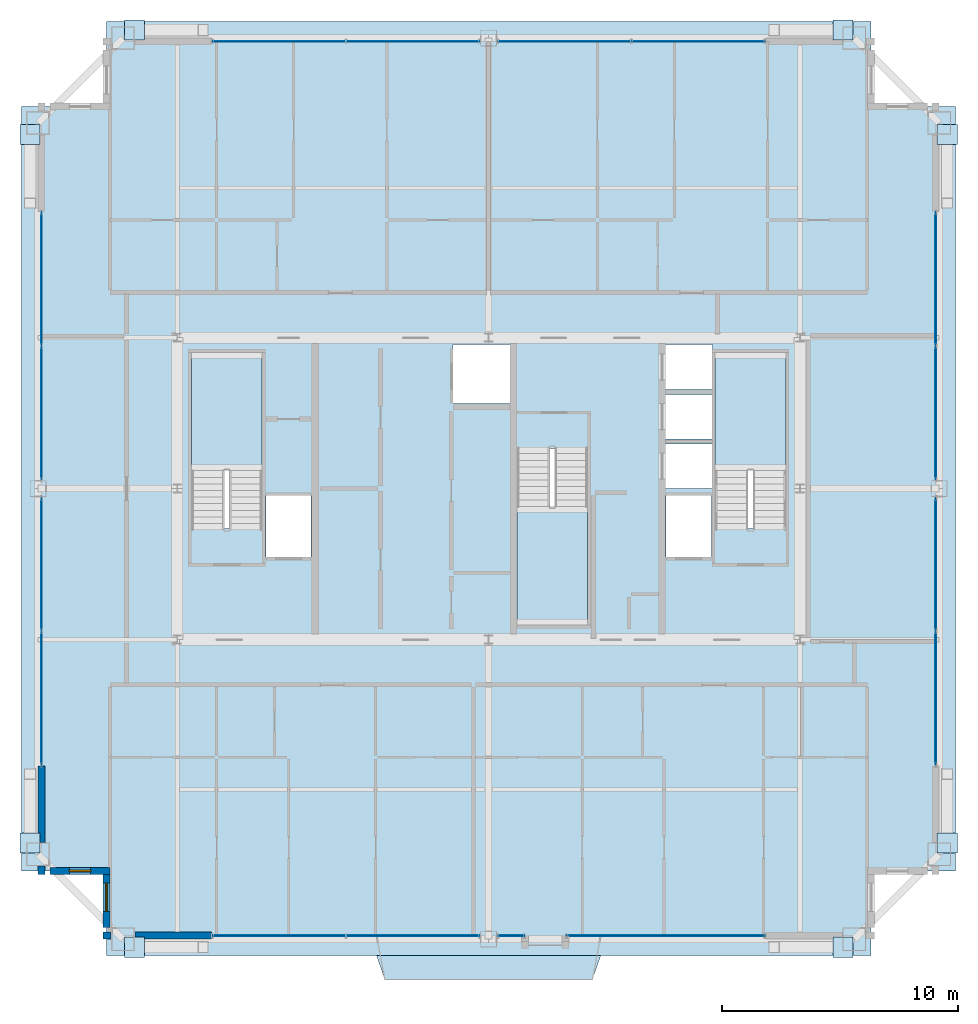
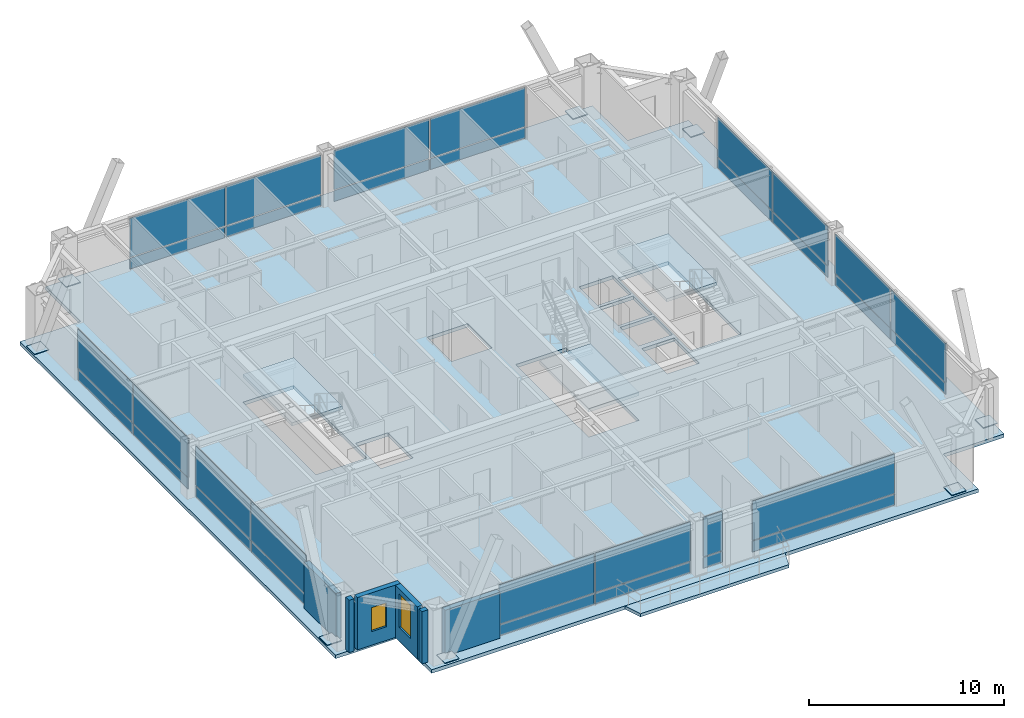
# One storey, part 29 of 35: 40 plates, 6 walls, 5 slabs, 2 windows, 2 openings, 12 elements without a shape of their own.
"""IFC4 building model written with IfcOpenShell, lengths in metres."""

from ifc_helpers import new_model, si_unit, direction, frame, frame_2d, origin, origin_2d, place, context, subcontext, project, spatial, polyline, rectangle, outline, extrude, source, transform, mapped, material, layer, layer_set, type_object, element, fill, aggregate, save


model = new_model("IFC4")

# Units and contexts
model_context = context("Model", 3, precision=1e-05, world=origin(), true_north=direction((0.0, 1.0)))
body_context = subcontext(model_context, "Body", "Model", "MODEL_VIEW")
ifc_project = project(units=[si_unit("LENGTHUNIT", "METRE"), si_unit("AREAUNIT", "SQUARE_METRE"), si_unit("VOLUMEUNIT", "CUBIC_METRE"), si_unit("PLANEANGLEUNIT", "RADIAN"), si_unit("MASSUNIT", "GRAM", prefix="KILO"), si_unit("THERMODYNAMICTEMPERATUREUNIT", "KELVIN"), si_unit("POWERUNIT", "WATT")], contexts=[model_context])

# Site, building, storey
site_placement = place(None, origin())
site = spatial("IfcSite", under=ifc_project, at=site_placement, CompositionType="ELEMENT")
building_placement = place(site_placement, origin())
building = spatial("IfcBuilding", under=site, at=building_placement, Name="Yuzanri Waterfront Tower", CompositionType="ELEMENT")
storey_placement = place(building_placement, frame((0.0, 0.0, 299.60009765625)))
storey = spatial("IfcBuildingStorey", under=building, at=storey_placement, Name="L80", CompositionType="ELEMENT", Elevation=299.60009765625)

# Slab
ifc_material_1 = material(Name="Concrete C40", Category="concrete")
ifc_layer_1 = layer(ifc_material_1, 0.199951171875)
ifc_layer_set_1 = layer_set([ifc_layer_1], Name="Concrete C40")
slab_type_1 = type_object("IfcSlabType", Name="Concrete C40 Cantilevered Engawa Wave Terrace Slab 200", PredefinedType="FLOOR", material=ifc_layer_set_1)
slab_1_placement = place(storey_placement, frame((0.0, 0.0, -0.2001953125)))
element("IfcSlab", 1, at=slab_1_placement, inside=storey, type_object=slab_type_1, Name="L80 S Cantilevered Engawa Terrace Slab", PredefinedType="FLOOR", context=body_context, shape_type="SweptSolid", body=[
    extrude(outline(polyline([(32.25048828125, 6.0), (41.74951171875, 6.0), (41.3994140625, 4.99609375), (32.6005859375, 4.99609375), (32.25048828125, 6.0)])), origin(), (0.0, 0.0, 1.0), 0.2001953125),
])

# Stair, slab
ifc_material_2 = material(Name="Concrete C40", Category="concrete")
stair_type = type_object("IfcStairType", Name="Concrete C40 Core Dogleg Exit Stair", PredefinedType="HALF_TURN_STAIR", material=ifc_material_2)
stair_1_placement = place(storey_placement, origin())
stair_1 = element("IfcStair", 2, at=stair_1_placement, inside=storey, type_object=stair_type, Name="L80 Smoke-Proof Core Stair ST-01", PredefinedType="HALF_TURN_STAIR")
ifc_material_3 = material(Name="Concrete C40", Category="concrete")
ifc_layer_2 = layer(ifc_material_3, 0.179931640625)
ifc_layer_set_2 = layer_set([ifc_layer_2], Name="Concrete C40")
slab_type_2 = type_object("IfcSlabType", Name="Concrete C40 Stair Half-Landing Slab 180", PredefinedType="LANDING", material=ifc_layer_set_2)
slab_2_placement = place(storey_placement, frame((0.0, 0.0, 1.5498046875)))
slab_2 = element("IfcSlab", 3, at=slab_2_placement, type_object=slab_type_2, Name="ST-01 landing 1", PredefinedType="LANDING", context=body_context, shape_type="SweptSolid", body=[
    extrude(outline(polyline([(27.39990234375, 26.56005859375), (27.39990234375, 31.580078125), (24.39990234375, 31.580078125), (24.39990234375, 26.56005859375), (27.39990234375, 26.56005859375)])), origin(), (0.0, 0.0, 1.0), 0.2001953125),
])
aggregate(stair_1, [slab_2])

stair_2_placement = place(storey_placement, origin())
stair_2 = element("IfcStair", 4, at=stair_2_placement, inside=storey, type_object=stair_type, Name="L80 Smoke-Proof Core Stair ST-02", PredefinedType="HALF_TURN_STAIR")
slab_3_placement = place(storey_placement, frame((0.0, 0.0, 1.5498046875)))
slab_3 = element("IfcSlab", 5, at=slab_3_placement, type_object=slab_type_2, Name="ST-02 landing 1", PredefinedType="LANDING", context=body_context, shape_type="SweptSolid", body=[
    extrude(outline(polyline([(49.60009765625, 26.56005859375), (49.60009765625, 31.580078125), (46.60009765625, 31.580078125), (46.60009765625, 26.56005859375), (49.60009765625, 26.56005859375)])), origin(), (0.0, 0.0, 1.0), 0.2001953125),
])
aggregate(stair_2, [slab_3])

stair_3_placement = place(storey_placement, origin())
stair_3 = element("IfcStair", 6, at=stair_3_placement, inside=storey, type_object=stair_type, Name="L80 Smoke-Proof Core Stair ST-03", PredefinedType="HALF_TURN_STAIR")
slab_4_placement = place(storey_placement, frame((0.0, 0.0, 1.5498046875)))
slab_4 = element("IfcSlab", 7, at=slab_4_placement, type_object=slab_type_2, Name="ST-03 landing 1", PredefinedType="LANDING", context=body_context, shape_type="SweptSolid", body=[
    extrude(outline(polyline([(38.199951171875, 25.0400390625), (38.199951171875, 20.02001953125), (41.199951171875, 20.02001953125), (41.199951171875, 25.0400390625), (38.199951171875, 25.0400390625)])), origin(), (0.0, 0.0, 1.0), 0.2001953125),
])
aggregate(stair_3, [slab_4])

# Slab
ifc_material_4 = material(Name="Concrete C40", Category="concrete")
ifc_layer_3 = layer(ifc_material_4, 0.219970703125)
ifc_layer_set_3 = layer_set([ifc_layer_3], Name="Concrete C40")
slab_type_3 = type_object("IfcSlabType", Name="Concrete C40 Tower Typical Structural Floor Slab 220", PredefinedType="FLOOR", material=ifc_layer_set_3)
slab_5_placement = place(storey_placement, frame((0.0, 0.0, -0.22021484375)))
element("IfcSlab", 8, at=slab_5_placement, inside=storey, type_object=slab_type_3, Name="L80 Main Structural Floor Slab", PredefinedType="FLOOR", context=body_context, shape_type="SweptSolid", body=[
    extrude(outline(polyline([(20.800048828125, 6.0), (53.199951171875, 6.0), (53.199951171875, 9.60009765625), (56.800048828125, 9.60009765625), (56.800048828125, 42.0), (53.199951171875, 42.0), (53.199951171875, 45.60009765625), (20.800048828125, 45.60009765625), (20.800048828125, 42.0), (17.199951171875, 42.0), (17.199951171875, 9.60009765625), (20.800048828125, 9.60009765625), (20.800048828125, 6.0)]), holes=[polyline([(27.39990234375, 24.10009765625), (27.39990234375, 31.580078125), (24.39990234375, 31.580078125), (24.39990234375, 24.10009765625), (27.39990234375, 24.10009765625)]), polyline([(49.60009765625, 24.10009765625), (49.60009765625, 31.580078125), (46.60009765625, 31.580078125), (46.60009765625, 24.10009765625), (49.60009765625, 24.10009765625)]), polyline([(38.199951171875, 27.5), (38.199951171875, 20.02001953125), (41.199951171875, 20.02001953125), (41.199951171875, 27.5), (38.199951171875, 27.5)]), polyline([(27.56005859375, 22.89990234375), (29.47998046875, 22.89990234375), (29.47998046875, 25.5), (27.56005859375, 25.5), (27.56005859375, 22.89990234375)]), polyline([(44.52001953125, 22.89990234375), (46.43994140625, 22.89990234375), (46.43994140625, 25.5), (44.52001953125, 25.5), (44.52001953125, 22.89990234375)]), polyline([(35.5, 29.39990234375), (37.89990234375, 29.39990234375), (37.89990234375, 31.89990234375), (35.5, 31.89990234375), (35.5, 29.39990234375)]), polyline([(44.5, 25.800048828125), (46.5, 25.800048828125), (46.5, 27.699951171875), (44.5, 27.699951171875), (44.5, 25.800048828125)]), polyline([(44.5, 27.89990234375), (46.5, 27.89990234375), (46.5, 29.800048828125), (44.5, 29.800048828125), (44.5, 27.89990234375)]), polyline([(44.5, 30.0), (46.5, 30.0), (46.5, 31.89990234375), (44.5, 31.89990234375), (44.5, 30.0)])]), origin(), (0.0, 0.0, 1.0), 0.22021484375),
])

# Plates
ifc_material_5 = material(Name="Steel Q420GJC", Category="steel")
ifc_layer_4 = layer(ifc_material_5, 0.0400390625)
ifc_layer_set_4 = layer_set([ifc_layer_4], Name="Steel Q420GJC")
plate_type_1 = type_object("IfcPlateType", Name="Steel Q420GJC Mega-Brace Gusset and End-Cap Plate 40", PredefinedType="SHEET", material=ifc_layer_set_4)
shared_shape_1 = source(origin(), body_context, "Body", "SweptSolid", [
    extrude(rectangle(XDim=0.85009765625, YDim=0.85009765625, at=origin_2d()), origin(), (0.0, 0.0, 1.0), 0.0400390625),
])
for number, where, z_axis, x_axis, name in (
    (9, (21.97998046875, 6.360107421875, 0.159912109375), (0.0, 0.0, 1.0), (1.0, 0.0, 0.0), "L80 Mega-Brace Foot Cap Plate S-L"),
    (10, (52.02001953125, 6.360107421875, 0.159912109375), (0.0, 0.0, 1.0), (1.0, 0.0, 0.0), "L80 Mega-Brace Foot Cap Plate S-R"),
    (11, (21.97998046875, 45.239990234375, 0.159912109375), (0.0, 0.0, 1.0), (1.0, 0.0, 0.0), "L80 Mega-Brace Foot Cap Plate N-L"),
    (12, (52.02001953125, 45.239990234375, 0.159912109375), (0.0, 0.0, 1.0), (1.0, 0.0, 0.0), "L80 Mega-Brace Foot Cap Plate N-R"),
    (13, (17.56005859375, 10.780029296875, 0.159912109375), (0.0, 0.0, 1.0), (1.0, 0.0, 0.0), "L80 Mega-Brace Foot Cap Plate W-L"),
    (14, (17.56005859375, 40.820068359375, 0.159912109375), (0.0, 0.0, 1.0), (1.0, 0.0, 0.0), "L80 Mega-Brace Foot Cap Plate W-R"),
    (15, (56.43994140625, 10.780029296875, 0.159912109375), (0.0, 0.0, 1.0), (1.0, 0.0, 0.0), "L80 Mega-Brace Foot Cap Plate E-L"),
    (16, (56.43994140625, 40.820068359375, 0.159912109375), (0.0, 0.0, 1.0), (1.0, 0.0, 0.0), "L80 Mega-Brace Foot Cap Plate E-R"),
):
    element("IfcPlate", number, at=place(storey_placement, frame(where, z_axis=z_axis, x_axis=x_axis)), inside=storey, type_object=plate_type_1, Name=name, PredefinedType="SHEET", context=body_context, shape_type="MappedRepresentation", body=[
        mapped(shared_shape_1, transform((0.0, 0.0, 0.0), scale=1.0)),
    ])

# Curtain wall, plates
ifc_material_6 = material(Name="Anodized Architectural Bronze", Category="metal")
ifc_layer_5 = layer(ifc_material_6, 0.159912109375)
ifc_layer_set_5 = layer_set([ifc_layer_5], Name="Anodized Architectural Bronze")
curtain_wall_type = type_object("IfcCurtainWallType", Name="Anodized Bronze High-Rise Penthouse High-Wind Unitized Curtain Wall 6900", PredefinedType="NOTDEFINED", material=ifc_layer_set_5)
curtain_wall_1_placement = place(storey_placement, origin())
curtain_wall_1 = element("IfcCurtainWall", 17, at=curtain_wall_1_placement, inside=storey, type_object=curtain_wall_type, Name="L80 Curtain Wall CW-L80-SL", PredefinedType="NOTDEFINED")
ifc_material_7 = material(Name="Anodized Architectural Bronze", Category="metal")
ifc_layer_6 = layer(ifc_material_7, 0.028076171875)
ifc_layer_set_6 = layer_set([ifc_layer_6], Name="Anodized Architectural Bronze")
plate_type_2 = type_object("IfcPlateType", Name="Bronze Insulated Spandrel Shadow-Box Panel 28", PredefinedType="CURTAIN_PANEL", material=ifc_layer_set_6)
shared_shape_2 = source(origin(), body_context, "Body", "SweptSolid", [
    extrude(rectangle(XDim=5.6201171875, YDim=0.028076171875, at=origin_2d()), origin(), (0.0, 0.0, 1.0), 0.674072265625),
])
plate_1_placement = place(storey_placement, frame((28.10009765625, 6.85009765625, 0.0498046875), z_axis=(0.0, 0.0, 1.0), x_axis=(1.0, 0.0, 0.0)))
plate_1 = element("IfcPlate", 18, at=plate_1_placement, type_object=plate_type_2, Name="CW-L80-SL Spandrel Panel 01", PredefinedType="CURTAIN_PANEL", context=body_context, shape_type="MappedRepresentation", body=[
    mapped(shared_shape_2, transform((0.0, 0.0, 0.0), scale=1.0)),
])
plate_2_placement = place(storey_placement, frame((33.800048828125, 6.85009765625, 0.0498046875), z_axis=(0.0, 0.0, 1.0), x_axis=(1.0, 0.0, 0.0)))
plate_2 = element("IfcPlate", 19, at=plate_2_placement, type_object=plate_type_2, Name="CW-L80-SL Spandrel Panel 02", PredefinedType="CURTAIN_PANEL", context=body_context, shape_type="MappedRepresentation", body=[
    mapped(shared_shape_2, transform((0.0, 0.0, 0.0), scale=1.0)),
])

curtain_wall_2_placement = place(storey_placement, origin())
curtain_wall_2 = element("IfcCurtainWall", 20, at=curtain_wall_2_placement, inside=storey, type_object=curtain_wall_type, Name="L80 Curtain Wall CW-L80-NL", PredefinedType="NOTDEFINED")
plate_3_placement = place(storey_placement, frame((28.10009765625, 44.75, 0.0498046875), z_axis=(0.0, 0.0, 1.0), x_axis=(1.0, 0.0, 0.0)))
plate_3 = element("IfcPlate", 21, at=plate_3_placement, type_object=plate_type_2, Name="CW-L80-NL Spandrel Panel 01", PredefinedType="CURTAIN_PANEL", context=body_context, shape_type="MappedRepresentation", body=[
    mapped(shared_shape_2, transform((0.0, 0.0, 0.0), scale=1.0)),
])
plate_4_placement = place(storey_placement, frame((33.800048828125, 44.75, 0.0498046875), z_axis=(0.0, 0.0, 1.0), x_axis=(1.0, 0.0, 0.0)))
plate_4 = element("IfcPlate", 22, at=plate_4_placement, type_object=plate_type_2, Name="CW-L80-NL Spandrel Panel 02", PredefinedType="CURTAIN_PANEL", context=body_context, shape_type="MappedRepresentation", body=[
    mapped(shared_shape_2, transform((0.0, 0.0, 0.0), scale=1.0)),
])

curtain_wall_3_placement = place(storey_placement, origin())
curtain_wall_3 = element("IfcCurtainWall", 23, at=curtain_wall_3_placement, inside=storey, type_object=curtain_wall_type, Name="L80 Curtain Wall CW-L80-NR", PredefinedType="NOTDEFINED")
plate_5_placement = place(storey_placement, frame((40.199951171875, 44.75, 0.0498046875), z_axis=(0.0, 0.0, 1.0), x_axis=(1.0, 0.0, 0.0)))
plate_5 = element("IfcPlate", 24, at=plate_5_placement, type_object=plate_type_2, Name="CW-L80-NR Spandrel Panel 01", PredefinedType="CURTAIN_PANEL", context=body_context, shape_type="MappedRepresentation", body=[
    mapped(shared_shape_2, transform((0.0, 0.0, 0.0), scale=1.0)),
])
plate_6_placement = place(storey_placement, frame((45.89990234375, 44.75, 0.0498046875), z_axis=(0.0, 0.0, 1.0), x_axis=(1.0, 0.0, 0.0)))
plate_6 = element("IfcPlate", 25, at=plate_6_placement, type_object=plate_type_2, Name="CW-L80-NR Spandrel Panel 02", PredefinedType="CURTAIN_PANEL", context=body_context, shape_type="MappedRepresentation", body=[
    mapped(shared_shape_2, transform((0.0, 0.0, 0.0), scale=1.0)),
])

curtain_wall_4_placement = place(storey_placement, origin())
curtain_wall_4 = element("IfcCurtainWall", 26, at=curtain_wall_4_placement, inside=storey, type_object=curtain_wall_type, Name="L80 Curtain Wall CW-L80-WL", PredefinedType="NOTDEFINED")
plate_7_placement = place(storey_placement, frame((18.050048828125, 16.89990234375, 0.0498046875), z_axis=(0.0, 0.0, 1.0), x_axis=(0.0, 1.0, 0.0)))
plate_7 = element("IfcPlate", 27, at=plate_7_placement, type_object=plate_type_2, Name="CW-L80-WL Spandrel Panel 01", PredefinedType="CURTAIN_PANEL", context=body_context, shape_type="MappedRepresentation", body=[
    mapped(shared_shape_2, transform((0.0, 0.0, 0.0), scale=1.0)),
])
plate_8_placement = place(storey_placement, frame((18.050048828125, 22.60009765625, 0.0498046875), z_axis=(0.0, 0.0, 1.0), x_axis=(0.0, 1.0, 0.0)))
plate_8 = element("IfcPlate", 28, at=plate_8_placement, type_object=plate_type_2, Name="CW-L80-WL Spandrel Panel 02", PredefinedType="CURTAIN_PANEL", context=body_context, shape_type="MappedRepresentation", body=[
    mapped(shared_shape_2, transform((0.0, 0.0, 0.0), scale=1.0)),
])

curtain_wall_5_placement = place(storey_placement, origin())
curtain_wall_5 = element("IfcCurtainWall", 29, at=curtain_wall_5_placement, inside=storey, type_object=curtain_wall_type, Name="L80 Curtain Wall CW-L80-WR", PredefinedType="NOTDEFINED")
plate_9_placement = place(storey_placement, frame((18.050048828125, 29.0, 0.0498046875), z_axis=(0.0, 0.0, 1.0), x_axis=(0.0, 1.0, 0.0)))
plate_9 = element("IfcPlate", 30, at=plate_9_placement, type_object=plate_type_2, Name="CW-L80-WR Spandrel Panel 01", PredefinedType="CURTAIN_PANEL", context=body_context, shape_type="MappedRepresentation", body=[
    mapped(shared_shape_2, transform((0.0, 0.0, 0.0), scale=1.0)),
])
plate_10_placement = place(storey_placement, frame((18.050048828125, 34.699951171875, 0.0498046875), z_axis=(0.0, 0.0, 1.0), x_axis=(0.0, 1.0, 0.0)))
plate_10 = element("IfcPlate", 31, at=plate_10_placement, type_object=plate_type_2, Name="CW-L80-WR Spandrel Panel 02", PredefinedType="CURTAIN_PANEL", context=body_context, shape_type="MappedRepresentation", body=[
    mapped(shared_shape_2, transform((0.0, 0.0, 0.0), scale=1.0)),
])

curtain_wall_6_placement = place(storey_placement, origin())
curtain_wall_6 = element("IfcCurtainWall", 32, at=curtain_wall_6_placement, inside=storey, type_object=curtain_wall_type, Name="L80 Curtain Wall CW-L80-EL", PredefinedType="NOTDEFINED")
plate_11_placement = place(storey_placement, frame((55.949951171875, 16.89990234375, 0.0498046875), z_axis=(0.0, 0.0, 1.0), x_axis=(0.0, 1.0, 0.0)))
plate_11 = element("IfcPlate", 33, at=plate_11_placement, type_object=plate_type_2, Name="CW-L80-EL Spandrel Panel 01", PredefinedType="CURTAIN_PANEL", context=body_context, shape_type="MappedRepresentation", body=[
    mapped(shared_shape_2, transform((0.0, 0.0, 0.0), scale=1.0)),
])
plate_12_placement = place(storey_placement, frame((55.949951171875, 22.60009765625, 0.0498046875), z_axis=(0.0, 0.0, 1.0), x_axis=(0.0, 1.0, 0.0)))
plate_12 = element("IfcPlate", 34, at=plate_12_placement, type_object=plate_type_2, Name="CW-L80-EL Spandrel Panel 02", PredefinedType="CURTAIN_PANEL", context=body_context, shape_type="MappedRepresentation", body=[
    mapped(shared_shape_2, transform((0.0, 0.0, 0.0), scale=1.0)),
])

curtain_wall_7_placement = place(storey_placement, origin())
curtain_wall_7 = element("IfcCurtainWall", 35, at=curtain_wall_7_placement, inside=storey, type_object=curtain_wall_type, Name="L80 Curtain Wall CW-L80-ER", PredefinedType="NOTDEFINED")
plate_13_placement = place(storey_placement, frame((55.949951171875, 29.0, 0.0498046875), z_axis=(0.0, 0.0, 1.0), x_axis=(0.0, 1.0, 0.0)))
plate_13 = element("IfcPlate", 36, at=plate_13_placement, type_object=plate_type_2, Name="CW-L80-ER Spandrel Panel 01", PredefinedType="CURTAIN_PANEL", context=body_context, shape_type="MappedRepresentation", body=[
    mapped(shared_shape_2, transform((0.0, 0.0, 0.0), scale=1.0)),
])
plate_14_placement = place(storey_placement, frame((55.949951171875, 34.699951171875, 0.0498046875), z_axis=(0.0, 0.0, 1.0), x_axis=(0.0, 1.0, 0.0)))
plate_14 = element("IfcPlate", 37, at=plate_14_placement, type_object=plate_type_2, Name="CW-L80-ER Spandrel Panel 02", PredefinedType="CURTAIN_PANEL", context=body_context, shape_type="MappedRepresentation", body=[
    mapped(shared_shape_2, transform((0.0, 0.0, 0.0), scale=1.0)),
])

# Plate
ifc_material_8 = material(Name="Triple Low-E Laminated Insulated Glass", Category="glass")
ifc_layer_7 = layer(ifc_material_8, 0.0439453125)
ifc_layer_set_7 = layer_set([ifc_layer_7], Name="Triple Low-E Laminated Insulated Glass")
plate_type_3 = type_object("IfcPlateType", Name="Triple Glazed Acoustic Vision Glass Panel 44", PredefinedType="CURTAIN_PANEL", material=ifc_layer_set_7)
shared_shape_3 = source(origin(), body_context, "Body", "SweptSolid", [
    extrude(rectangle(XDim=5.6201171875, YDim=0.0439453125, at=origin_2d()), origin(), (0.0, 0.0, 1.0), 2.446044921875),
])
plate_15_placement = place(storey_placement, frame((28.10009765625, 6.85009765625, 0.78369140625), z_axis=(0.0, 0.0, 1.0), x_axis=(1.0, 0.0, 0.0)))
plate_15 = element("IfcPlate", 38, at=plate_15_placement, type_object=plate_type_3, Name="CW-L80-SL Vision Glass Panel 01", PredefinedType="CURTAIN_PANEL", context=body_context, shape_type="MappedRepresentation", body=[
    mapped(shared_shape_3, transform((0.0, 0.0, 0.0), scale=1.0)),
])

plate_16_placement = place(storey_placement, frame((33.800048828125, 6.85009765625, 0.78369140625), z_axis=(0.0, 0.0, 1.0), x_axis=(1.0, 0.0, 0.0)))
plate_16 = element("IfcPlate", 39, at=plate_16_placement, type_object=plate_type_3, Name="CW-L80-SL Vision Glass Panel 02", PredefinedType="CURTAIN_PANEL", context=body_context, shape_type="MappedRepresentation", body=[
    mapped(shared_shape_3, transform((0.0, 0.0, 0.0), scale=1.0)),
])

aggregate(curtain_wall_1, [plate_1, plate_15, plate_2, plate_16])

plate_17_placement = place(storey_placement, frame((28.10009765625, 44.75, 0.78369140625), z_axis=(0.0, 0.0, 1.0), x_axis=(1.0, 0.0, 0.0)))
plate_17 = element("IfcPlate", 40, at=plate_17_placement, type_object=plate_type_3, Name="CW-L80-NL Vision Glass Panel 01", PredefinedType="CURTAIN_PANEL", context=body_context, shape_type="MappedRepresentation", body=[
    mapped(shared_shape_3, transform((0.0, 0.0, 0.0), scale=1.0)),
])

plate_18_placement = place(storey_placement, frame((33.800048828125, 44.75, 0.78369140625), z_axis=(0.0, 0.0, 1.0), x_axis=(1.0, 0.0, 0.0)))
plate_18 = element("IfcPlate", 41, at=plate_18_placement, type_object=plate_type_3, Name="CW-L80-NL Vision Glass Panel 02", PredefinedType="CURTAIN_PANEL", context=body_context, shape_type="MappedRepresentation", body=[
    mapped(shared_shape_3, transform((0.0, 0.0, 0.0), scale=1.0)),
])

aggregate(curtain_wall_2, [plate_3, plate_17, plate_4, plate_18])

plate_19_placement = place(storey_placement, frame((40.199951171875, 44.75, 0.78369140625), z_axis=(0.0, 0.0, 1.0), x_axis=(1.0, 0.0, 0.0)))
plate_19 = element("IfcPlate", 42, at=plate_19_placement, type_object=plate_type_3, Name="CW-L80-NR Vision Glass Panel 01", PredefinedType="CURTAIN_PANEL", context=body_context, shape_type="MappedRepresentation", body=[
    mapped(shared_shape_3, transform((0.0, 0.0, 0.0), scale=1.0)),
])

plate_20_placement = place(storey_placement, frame((45.89990234375, 44.75, 0.78369140625), z_axis=(0.0, 0.0, 1.0), x_axis=(1.0, 0.0, 0.0)))
plate_20 = element("IfcPlate", 43, at=plate_20_placement, type_object=plate_type_3, Name="CW-L80-NR Vision Glass Panel 02", PredefinedType="CURTAIN_PANEL", context=body_context, shape_type="MappedRepresentation", body=[
    mapped(shared_shape_3, transform((0.0, 0.0, 0.0), scale=1.0)),
])

aggregate(curtain_wall_3, [plate_5, plate_19, plate_6, plate_20])

plate_21_placement = place(storey_placement, frame((18.050048828125, 16.89990234375, 0.78369140625), z_axis=(0.0, 0.0, 1.0), x_axis=(0.0, 1.0, 0.0)))
plate_21 = element("IfcPlate", 44, at=plate_21_placement, type_object=plate_type_3, Name="CW-L80-WL Vision Glass Panel 01", PredefinedType="CURTAIN_PANEL", context=body_context, shape_type="MappedRepresentation", body=[
    mapped(shared_shape_3, transform((0.0, 0.0, 0.0), scale=1.0)),
])

plate_22_placement = place(storey_placement, frame((18.050048828125, 22.60009765625, 0.78369140625), z_axis=(0.0, 0.0, 1.0), x_axis=(0.0, 1.0, 0.0)))
plate_22 = element("IfcPlate", 45, at=plate_22_placement, type_object=plate_type_3, Name="CW-L80-WL Vision Glass Panel 02", PredefinedType="CURTAIN_PANEL", context=body_context, shape_type="MappedRepresentation", body=[
    mapped(shared_shape_3, transform((0.0, 0.0, 0.0), scale=1.0)),
])

aggregate(curtain_wall_4, [plate_7, plate_21, plate_8, plate_22])

plate_23_placement = place(storey_placement, frame((18.050048828125, 29.0, 0.78369140625), z_axis=(0.0, 0.0, 1.0), x_axis=(0.0, 1.0, 0.0)))
plate_23 = element("IfcPlate", 46, at=plate_23_placement, type_object=plate_type_3, Name="CW-L80-WR Vision Glass Panel 01", PredefinedType="CURTAIN_PANEL", context=body_context, shape_type="MappedRepresentation", body=[
    mapped(shared_shape_3, transform((0.0, 0.0, 0.0), scale=1.0)),
])

plate_24_placement = place(storey_placement, frame((18.050048828125, 34.699951171875, 0.78369140625), z_axis=(0.0, 0.0, 1.0), x_axis=(0.0, 1.0, 0.0)))
plate_24 = element("IfcPlate", 47, at=plate_24_placement, type_object=plate_type_3, Name="CW-L80-WR Vision Glass Panel 02", PredefinedType="CURTAIN_PANEL", context=body_context, shape_type="MappedRepresentation", body=[
    mapped(shared_shape_3, transform((0.0, 0.0, 0.0), scale=1.0)),
])

aggregate(curtain_wall_5, [plate_9, plate_23, plate_10, plate_24])

plate_25_placement = place(storey_placement, frame((55.949951171875, 16.89990234375, 0.78369140625), z_axis=(0.0, 0.0, 1.0), x_axis=(0.0, 1.0, 0.0)))
plate_25 = element("IfcPlate", 48, at=plate_25_placement, type_object=plate_type_3, Name="CW-L80-EL Vision Glass Panel 01", PredefinedType="CURTAIN_PANEL", context=body_context, shape_type="MappedRepresentation", body=[
    mapped(shared_shape_3, transform((0.0, 0.0, 0.0), scale=1.0)),
])

plate_26_placement = place(storey_placement, frame((55.949951171875, 22.60009765625, 0.78369140625), z_axis=(0.0, 0.0, 1.0), x_axis=(0.0, 1.0, 0.0)))
plate_26 = element("IfcPlate", 49, at=plate_26_placement, type_object=plate_type_3, Name="CW-L80-EL Vision Glass Panel 02", PredefinedType="CURTAIN_PANEL", context=body_context, shape_type="MappedRepresentation", body=[
    mapped(shared_shape_3, transform((0.0, 0.0, 0.0), scale=1.0)),
])

aggregate(curtain_wall_6, [plate_11, plate_25, plate_12, plate_26])

plate_27_placement = place(storey_placement, frame((55.949951171875, 29.0, 0.78369140625), z_axis=(0.0, 0.0, 1.0), x_axis=(0.0, 1.0, 0.0)))
plate_27 = element("IfcPlate", 50, at=plate_27_placement, type_object=plate_type_3, Name="CW-L80-ER Vision Glass Panel 01", PredefinedType="CURTAIN_PANEL", context=body_context, shape_type="MappedRepresentation", body=[
    mapped(shared_shape_3, transform((0.0, 0.0, 0.0), scale=1.0)),
])

plate_28_placement = place(storey_placement, frame((55.949951171875, 34.699951171875, 0.78369140625), z_axis=(0.0, 0.0, 1.0), x_axis=(0.0, 1.0, 0.0)))
plate_28 = element("IfcPlate", 51, at=plate_28_placement, type_object=plate_type_3, Name="CW-L80-ER Vision Glass Panel 02", PredefinedType="CURTAIN_PANEL", context=body_context, shape_type="MappedRepresentation", body=[
    mapped(shared_shape_3, transform((0.0, 0.0, 0.0), scale=1.0)),
])

aggregate(curtain_wall_7, [plate_13, plate_27, plate_14, plate_28])

# Curtain wall, plates
curtain_wall_8_placement = place(storey_placement, origin())
curtain_wall_8 = element("IfcCurtainWall", 52, at=curtain_wall_8_placement, inside=storey, type_object=curtain_wall_type, Name="L80 Curtain Wall CW-L80-SR1", PredefinedType="NOTDEFINED")
shared_shape_4 = source(origin(), body_context, "Body", "SweptSolid", [
    extrude(rectangle(XDim=1.1201171875, YDim=0.028076171875, at=origin_2d()), origin(), (0.0, 0.0, 1.0), 0.674072265625),
])
plate_29_placement = place(storey_placement, frame((37.949951171875, 6.85009765625, 0.0498046875), z_axis=(0.0, 0.0, 1.0), x_axis=(1.0, 0.0, 0.0)))
plate_29 = element("IfcPlate", 53, at=plate_29_placement, type_object=plate_type_2, Name="CW-L80-SR1 Spandrel Panel 01", PredefinedType="CURTAIN_PANEL", context=body_context, shape_type="MappedRepresentation", body=[
    mapped(shared_shape_4, transform((0.0, 0.0, 0.0), scale=1.0)),
])
shared_shape_5 = source(origin(), body_context, "Body", "SweptSolid", [
    extrude(rectangle(XDim=1.1201171875, YDim=0.0439453125, at=origin_2d()), origin(), (0.0, 0.0, 1.0), 2.446044921875),
])
plate_30_placement = place(storey_placement, frame((37.949951171875, 6.85009765625, 0.78369140625), z_axis=(0.0, 0.0, 1.0), x_axis=(1.0, 0.0, 0.0)))
plate_30 = element("IfcPlate", 54, at=plate_30_placement, type_object=plate_type_3, Name="CW-L80-SR1 Vision Glass Panel 01", PredefinedType="CURTAIN_PANEL", context=body_context, shape_type="MappedRepresentation", body=[
    mapped(shared_shape_5, transform((0.0, 0.0, 0.0), scale=1.0)),
])
aggregate(curtain_wall_8, [plate_29, plate_30])

curtain_wall_9_placement = place(storey_placement, origin())
curtain_wall_9 = element("IfcCurtainWall", 55, at=curtain_wall_9_placement, inside=storey, type_object=curtain_wall_type, Name="L80 Curtain Wall CW-L80-SR2", PredefinedType="NOTDEFINED")
shared_shape_6 = source(origin(), body_context, "Body", "SweptSolid", [
    extrude(rectangle(XDim=8.419921875, YDim=0.028076171875, at=origin_2d()), origin(), (0.0, 0.0, 1.0), 0.674072265625),
])
plate_31_placement = place(storey_placement, frame((44.5, 6.85009765625, 0.0498046875), z_axis=(0.0, 0.0, 1.0), x_axis=(1.0, 0.0, 0.0)))
plate_31 = element("IfcPlate", 56, at=plate_31_placement, type_object=plate_type_2, Name="CW-L80-SR2 Spandrel Panel 01", PredefinedType="CURTAIN_PANEL", context=body_context, shape_type="MappedRepresentation", body=[
    mapped(shared_shape_6, transform((0.0, 0.0, 0.0), scale=1.0)),
])
shared_shape_7 = source(origin(), body_context, "Body", "SweptSolid", [
    extrude(rectangle(XDim=8.419921875, YDim=0.0439453125, at=origin_2d()), origin(), (0.0, 0.0, 1.0), 2.446044921875),
])
plate_32_placement = place(storey_placement, frame((44.5, 6.85009765625, 0.78369140625), z_axis=(0.0, 0.0, 1.0), x_axis=(1.0, 0.0, 0.0)))
plate_32 = element("IfcPlate", 57, at=plate_32_placement, type_object=plate_type_3, Name="CW-L80-SR2 Vision Glass Panel 01", PredefinedType="CURTAIN_PANEL", context=body_context, shape_type="MappedRepresentation", body=[
    mapped(shared_shape_7, transform((0.0, 0.0, 0.0), scale=1.0)),
])
aggregate(curtain_wall_9, [plate_31, plate_32])

# Wall, opening, window
ifc_material_9 = material(Name="Honed Chongqing Dark Basalt Stone", Category="masonry")
ifc_layer_8 = layer(ifc_material_9, 0.300048828125)
ifc_layer_set_8 = layer_set([ifc_layer_8], Name="Honed Chongqing Dark Basalt Stone")
wall_type = type_object("IfcWallType", Name="Bronze Rainscreen Insulated Spandrel Portal Wall 300", PredefinedType="SOLIDWALL", material=ifc_layer_set_8)
wall_1_placement = place(storey_placement, frame((18.39990234375, 9.60009765625, 0.0), z_axis=(0.0, 0.0, 1.0), x_axis=(1.0, 0.0, 0.0)))
wall_1 = element("IfcWall", 58, at=wall_1_placement, inside=storey, type_object=wall_type, Name="L80 Notched Corner Masonry Wall SW-X", PredefinedType="SOLIDWALL", context=body_context, shape_type="SweptSolid", body=[
    extrude(rectangle(XDim=2.550048828125, YDim=0.300048828125, at=frame_2d((1.27490234375, 0.0))), origin(), (0.0, 0.0, 1.0), 3.27978515625),
])
opening_1_placement = place(wall_1_placement, frame((0.824951171875, 0.0, 0.85009765625)))
opening_1 = element("IfcOpeningElement", 59, at=opening_1_placement, cuts=wall_1, Name="Opening WN-05", PredefinedType="OPENING", context=body_context, shape_type="SweptSolid", body=[
    extrude(rectangle(XDim=0.89990234375, YDim=1.5, at=frame_2d((0.449951171875, 0.75))), frame((0.0, 0.1650390625, 0.0), z_axis=(0.0, -1.0, 0.0), x_axis=(1.0, 0.0, 0.0)), (0.0, 0.0, 1.0), 0.329833984375),
])
ifc_material_10 = material(Name="Double-Silver Low-E Insulated Glass", Category="glass")
window_type_1 = type_object("IfcWindowType", Name="Anodized Bronze Service and Stairwell Smoke-Vent Window 900x1500", PartitioningType="SINGLE_PANEL", PredefinedType="WINDOW", material=ifc_material_10)
shared_shape_8 = source(origin(), body_context, "Body", "SweptSolid", [
    extrude(rectangle(XDim=0.89990234375, YDim=1.5, at=frame_2d((0.449951171875, 0.75))), frame((0.0, 0.030029296875, 0.0), z_axis=(0.0, -1.0, 0.0), x_axis=(1.0, 0.0, 0.0)), (0.0, 0.0, 1.0), 0.06005859375),
])
window_1_placement = place(opening_1_placement, origin())
window_1 = element("IfcWindow", 60, at=window_1_placement, inside=storey, type_object=window_type_1, Name="L80 Notched Corner Window SW-X", OverallHeight=1.5, OverallWidth=0.89990234375, PartitioningType="SINGLE_PANEL", PredefinedType="WINDOW", context=body_context, shape_type="MappedRepresentation", body=[
    mapped(shared_shape_8, transform((0.0, 0.0, 0.0), scale=1.0)),
])
fill(opening_1, window_1)

wall_2_placement = place(storey_placement, frame((20.800048828125, 9.75, 0.0), z_axis=(0.0, 0.0, 1.0), x_axis=(0.0, -1.0, 0.0)))
wall_2 = element("IfcWall", 61, at=wall_2_placement, inside=storey, type_object=wall_type, Name="L80 Notched Corner Masonry Wall SW-Y", PredefinedType="SOLIDWALL", context=body_context, shape_type="SweptSolid", body=[
    extrude(rectangle(XDim=2.550048828125, YDim=0.300048828125, at=frame_2d((1.27490234375, 0.0))), origin(), (0.0, 0.0, 1.0), 3.27978515625),
])
opening_2_placement = place(wall_2_placement, frame((0.675048828125, 0.0, 0.85009765625)))
opening_2 = element("IfcOpeningElement", 62, at=opening_2_placement, cuts=wall_2, Name="Opening WN-02", PredefinedType="OPENING", context=body_context, shape_type="SweptSolid", body=[
    extrude(rectangle(XDim=1.199951171875, YDim=2.10009765625, at=frame_2d((0.60009765625, 1.050048828125))), frame((0.0, 0.1650390625, 0.0), z_axis=(0.0, -1.0, 0.0), x_axis=(1.0, 0.0, 0.0)), (0.0, 0.0, 1.0), 0.329833984375),
])
ifc_material_11 = material(Name="Double-Silver Low-E Insulated Glass", Category="glass")
window_type_2 = type_object("IfcWindowType", Name="Anodized Bronze Notched Corner Deep-Set Slot Window 1200x2100", PartitioningType="SINGLE_PANEL", PredefinedType="WINDOW", material=ifc_material_11)
shared_shape_9 = source(origin(), body_context, "Body", "SweptSolid", [
    extrude(rectangle(XDim=1.199951171875, YDim=2.10009765625, at=frame_2d((0.60009765625, 1.050048828125))), frame((0.0, 0.030029296875, 0.0), z_axis=(0.0, -1.0, 0.0), x_axis=(1.0, 0.0, 0.0)), (0.0, 0.0, 1.0), 0.06005859375),
])
window_2_placement = place(opening_2_placement, origin())
window_2 = element("IfcWindow", 63, at=window_2_placement, inside=storey, type_object=window_type_2, Name="L80 Notched Corner Window SW-Y", OverallHeight=2.10009765625, OverallWidth=1.199951171875, PartitioningType="SINGLE_PANEL", PredefinedType="WINDOW", context=body_context, shape_type="MappedRepresentation", body=[
    mapped(shared_shape_9, transform((0.0, 0.0, 0.0), scale=1.0)),
])
fill(opening_2, window_2)

# Walls
shared_shape_10 = source(origin(), body_context, "Body", "SweptSolid", [
    extrude(rectangle(XDim=0.35009765625, YDim=0.300048828125, at=frame_2d((0.175048828125, 0.0))), origin(), (0.0, 0.0, 1.0), 3.27978515625),
])
for number, where, z_axis, x_axis, name in (
    (64, (20.64990234375, 6.85009765625, 0.0), (0.0, 0.0, 1.0), (1.0, 0.0, 0.0), "L80 Corner Column Shoulder Return CSW"),
    (65, (18.050048828125, 9.449951171875, 0.0), (0.0, 0.0, 1.0), (0.0, 1.0, 0.0), "L80 Corner Column Shoulder Return CWS"),
):
    element("IfcWall", number, at=place(storey_placement, frame(where, z_axis=z_axis, x_axis=x_axis)), inside=storey, type_object=wall_type, Name=name, PredefinedType="SOLIDWALL", context=body_context, shape_type="MappedRepresentation", body=[
        mapped(shared_shape_10, transform((0.0, 0.0, 0.0), scale=1.0)),
    ])
shared_shape_11 = source(origin(), body_context, "Body", "SweptSolid", [
    extrude(rectangle(XDim=3.25, YDim=0.300048828125, at=frame_2d((1.625, 0.0))), origin(), (0.0, 0.0, 1.0), 2.885009765625),
])
for number, where, z_axis, x_axis, name in (
    (66, (22.0, 6.85009765625, 0.0), (0.0, 0.0, 1.0), (1.0, 0.0, 0.0), "L80 S Left Braced Masonry Shoulder"),
    (67, (18.050048828125, 10.800048828125, 0.0), (0.0, 0.0, 1.0), (0.0, 1.0, 0.0), "L80 W Left Braced Masonry Shoulder"),
):
    element("IfcWall", number, at=place(storey_placement, frame(where, z_axis=z_axis, x_axis=x_axis)), inside=storey, type_object=wall_type, Name=name, PredefinedType="SOLIDWALL", context=body_context, shape_type="MappedRepresentation", body=[
        mapped(shared_shape_11, transform((0.0, 0.0, 0.0), scale=1.0)),
    ])

save(model, "model.ifc")
